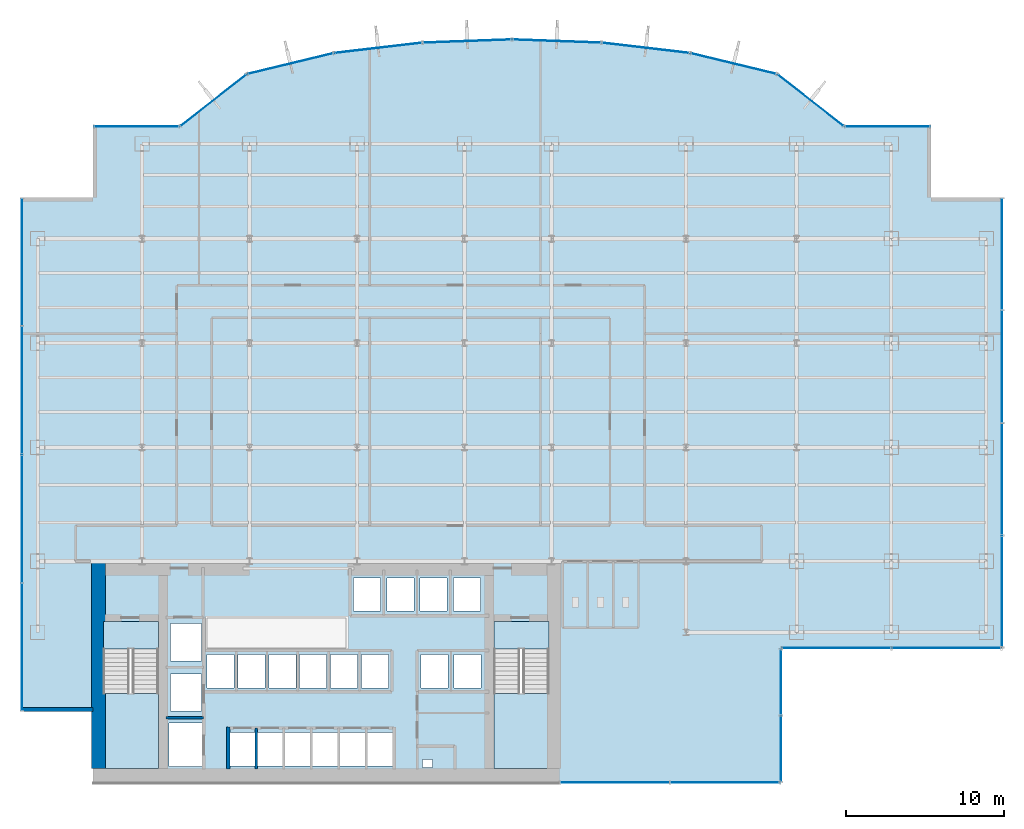
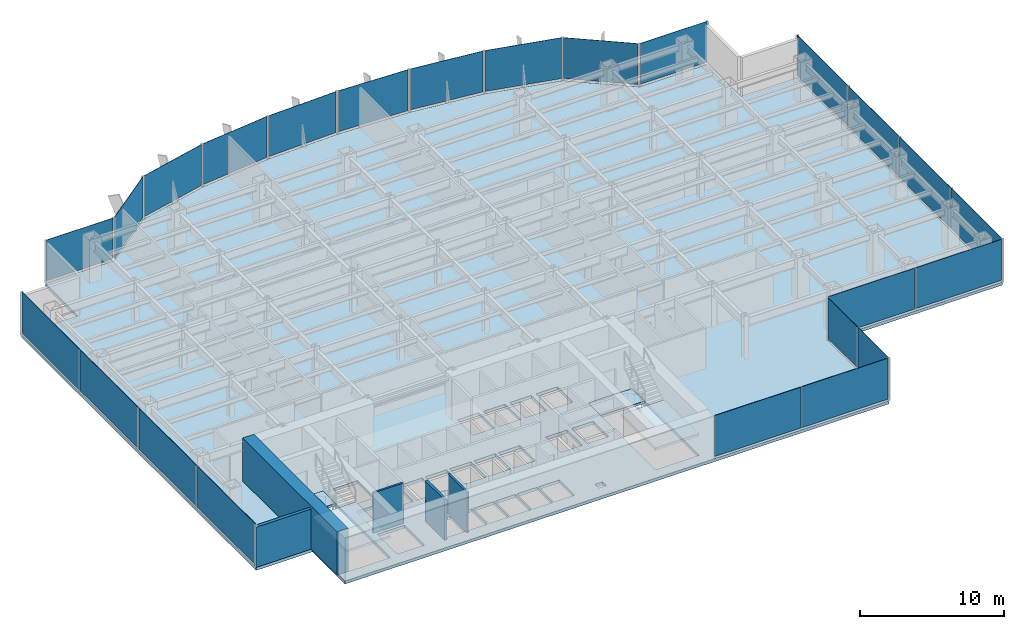
# One storey, part 16 of 22: 24 plates, 5 slabs, 5 walls, 17 elements without a shape of their own.
"""IFC4 building model written with IfcOpenShell, lengths in metres."""

from ifc_helpers import new_model, si_unit, derived_unit, direction, frame, frame_2d, origin, origin_2d, place, context, subcontext, project, spatial, polyline, rectangle, outline, extrude, source, transform, mapped, material, layer, layer_set, type_object, element, aggregate, save


model = new_model("IFC4")

# Units and contexts
model_context = context("Model", 3, precision=1e-05, world=origin(), true_north=direction((0.0, 1.0)))
body_context = subcontext(model_context, "Body", "Model", "MODEL_VIEW")
ifc_project = project(units=[si_unit("LENGTHUNIT", "METRE"), si_unit("AREAUNIT", "SQUARE_METRE"), si_unit("VOLUMEUNIT", "CUBIC_METRE"), si_unit("PLANEANGLEUNIT", "RADIAN"), si_unit("MASSUNIT", "GRAM", prefix="KILO"), derived_unit("THERMALTRANSMITTANCEUNIT", [(si_unit("POWERUNIT", "WATT"), 1), (si_unit("LENGTHUNIT", "METRE"), -2), (si_unit("THERMODYNAMICTEMPERATUREUNIT", "KELVIN"), -1)])], contexts=[model_context])

# Site, building, storey
site_placement = place(None, origin())
site = spatial("IfcSite", under=ifc_project, at=site_placement, CompositionType="ELEMENT")
building_placement = place(site_placement, origin())
building = spatial("IfcBuilding", under=site, at=building_placement, Name="Skarnbrae Concourse Arena and Tower", CompositionType="ELEMENT")
storey_placement = place(building_placement, frame((0.0, 0.0, 72.64990234375)))
storey = spatial("IfcBuildingStorey", under=building, at=storey_placement, Name="L17", CompositionType="ELEMENT", Elevation=72.64990234375)

# Stair, slab
ifc_material_1 = material(Name="Concrete 40 MPa (C40/50)", Category="concrete")
stair_type = type_object("IfcStairType", Name="STAIR-DOGLEG-1650", PredefinedType="HALF_TURN_STAIR", material=ifc_material_1)
stair_1_placement = place(storey_placement, origin())
stair_1 = element("IfcStair", 1, at=stair_1_placement, inside=storey, type_object=stair_type, Name="L17 Protected Exit Stair ST-1", PredefinedType="HALF_TURN_STAIR")
ifc_layer_1 = layer(ifc_material_1, 0.199951171875)
ifc_layer_set_1 = layer_set([ifc_layer_1], Name="Concrete 40 MPa (C40/50)")
slab_type_1 = type_object("IfcSlabType", Name="SLAB-LANDING-200", PredefinedType="LANDING", material=ifc_layer_set_1)
slab_1_placement = place(storey_placement, frame((0.0, 0.0, 1.625)))
slab_1 = element("IfcSlab", 2, at=slab_1_placement, type_object=slab_type_1, Name="ST-1 landing 1", PredefinedType="LANDING", context=body_context, shape_type="SweptSolid", body=[
    extrude(outline(polyline([(5.14990234375, 5.64990234375), (5.14990234375, 0.89990234375), (8.64990234375, 0.89990234375), (8.64990234375, 5.64990234375), (5.14990234375, 5.64990234375)])), origin(), (0.0, 0.0, 1.0), 0.2001953125),
])
aggregate(stair_1, [slab_1])

stair_2_placement = place(storey_placement, origin())
stair_2 = element("IfcStair", 3, at=stair_2_placement, inside=storey, type_object=stair_type, Name="L17 Protected Exit Stair ST-2", PredefinedType="HALF_TURN_STAIR")
slab_2_placement = place(storey_placement, frame((0.0, 0.0, 1.625)))
slab_2 = element("IfcSlab", 4, at=slab_2_placement, type_object=slab_type_1, Name="ST-2 landing 1", PredefinedType="LANDING", context=body_context, shape_type="SweptSolid", body=[
    extrude(outline(polyline([(29.85009765625, 5.64990234375), (29.85009765625, 0.89990234375), (33.35009765625, 0.89990234375), (33.35009765625, 5.64990234375), (29.85009765625, 5.64990234375)])), origin(), (0.0, 0.0, 1.0), 0.2001953125),
])
aggregate(stair_2, [slab_2])

# Slabs
slab_3_placement = place(storey_placement, frame((0.0, 0.0, -0.199951171875)))
element("IfcSlab", 5, at=slab_3_placement, inside=storey, type_object=slab_type_1, Name="L17 Core stair ST1 floor landing", PredefinedType="LANDING", context=body_context, shape_type="SweptSolid", body=[
    extrude(outline(polyline([(5.14990234375, 10.199951171875), (5.14990234375, 8.449951171875), (8.64990234375, 8.449951171875), (8.64990234375, 10.199951171875), (5.14990234375, 10.199951171875)])), origin(), (0.0, 0.0, 1.0), 0.199951171875),
])
slab_4_placement = place(storey_placement, frame((0.0, 0.0, -0.199951171875)))
element("IfcSlab", 6, at=slab_4_placement, inside=storey, type_object=slab_type_1, Name="L17 Core stair ST2 floor landing", PredefinedType="LANDING", context=body_context, shape_type="SweptSolid", body=[
    extrude(outline(polyline([(29.85009765625, 10.199951171875), (29.85009765625, 8.449951171875), (33.35009765625, 8.449951171875), (33.35009765625, 10.199951171875), (29.85009765625, 10.199951171875)])), origin(), (0.0, 0.0, 1.0), 0.199951171875),
])
ifc_layer_2 = layer(ifc_material_1, 0.25)
ifc_layer_set_2 = layer_set([ifc_layer_2], Name="Concrete 40 MPa (C40/50)")
slab_type_2 = type_object("IfcSlabType", Name="SLAB-TOWER-250", PredefinedType="FLOOR", material=ifc_layer_set_2)
slab_5_placement = place(storey_placement, frame((0.0, 0.0, -0.25)))
element("IfcSlab", 7, at=slab_5_placement, inside=storey, type_object=slab_type_2, Name="L17 Structural floor slab", PredefinedType="FLOOR", context=body_context, shape_type="SweptSolid", body=[
    extrude(outline(polyline([(4.5, 0.0), (48.0, 0.0), (48.0, 8.5), (62.0, 8.5), (62.0, 37.0), (57.5, 37.0), (57.5, 41.5), (52.0, 41.5), (47.766357421875, 44.811767578125), (42.2724609375, 46.140380859375), (36.65380859375, 46.796875), (31.0, 47.0), (25.34619140625, 46.796875), (19.7275390625, 46.140380859375), (14.233642578125, 44.811767578125), (10.0, 41.5), (4.5, 41.5), (4.5, 37.0), (0.0, 37.0), (0.0, 4.5), (4.5, 4.5), (4.5, 0.0)]), holes=[polyline([(13.14501953125, 3.155029296875), (14.7548828125, 3.155029296875), (14.7548828125, 1.044921875), (13.14501953125, 1.044921875), (13.14501953125, 3.155029296875)]), polyline([(16.4951171875, 3.155029296875), (16.4951171875, 1.044921875), (14.885009765625, 1.044921875), (14.885009765625, 3.155029296875), (16.4951171875, 3.155029296875)]), polyline([(18.235107421875, 3.155029296875), (18.235107421875, 1.044921875), (16.625, 1.044921875), (16.625, 3.155029296875), (18.235107421875, 3.155029296875)]), polyline([(18.364990234375, 3.155029296875), (19.97509765625, 3.155029296875), (19.97509765625, 1.044921875), (18.364990234375, 1.044921875), (18.364990234375, 3.155029296875)]), polyline([(11.455078125, 3.780029296875), (11.455078125, 1.02001953125), (9.294921875, 1.02001953125), (9.294921875, 3.780029296875), (11.455078125, 3.780029296875)]), polyline([(8.64990234375, 0.89990234375), (5.14990234375, 0.89990234375), (5.14990234375, 10.199951171875), (8.64990234375, 10.199951171875), (8.64990234375, 0.89990234375)]), polyline([(9.39501953125, 6.8798828125), (11.35498046875, 6.8798828125), (11.35498046875, 4.52001953125), (9.39501953125, 4.52001953125), (9.39501953125, 6.8798828125)]), polyline([(13.429931640625, 8.10498046875), (13.429931640625, 5.9951171875), (11.719970703125, 5.9951171875), (11.719970703125, 8.10498046875), (13.429931640625, 8.10498046875)]), polyline([(15.3798828125, 8.10498046875), (15.3798828125, 5.9951171875), (13.669921875, 5.9951171875), (13.669921875, 8.10498046875), (15.3798828125, 8.10498046875)]), polyline([(15.6201171875, 8.10498046875), (17.330078125, 8.10498046875), (17.330078125, 5.9951171875), (15.6201171875, 5.9951171875), (15.6201171875, 8.10498046875)]), polyline([(19.280029296875, 8.10498046875), (19.280029296875, 5.9951171875), (17.570068359375, 5.9951171875), (17.570068359375, 8.10498046875), (19.280029296875, 8.10498046875)]), polyline([(11.35498046875, 10.054931640625), (11.35498046875, 7.695068359375), (9.39501953125, 7.695068359375), (9.39501953125, 10.054931640625), (11.35498046875, 10.054931640625)]), polyline([(25.35009765625, 1.449951171875), (25.9599609375, 1.449951171875), (25.9599609375, 0.949951171875), (25.35009765625, 0.949951171875), (25.35009765625, 1.449951171875)]), polyline([(21.715087890625, 3.155029296875), (21.715087890625, 1.044921875), (20.10498046875, 1.044921875), (20.10498046875, 3.155029296875), (21.715087890625, 3.155029296875)]), polyline([(23.455078125, 3.155029296875), (23.455078125, 1.044921875), (21.844970703125, 1.044921875), (21.844970703125, 3.155029296875), (23.455078125, 3.155029296875)]), polyline([(33.35009765625, 10.199951171875), (33.35009765625, 0.89990234375), (29.85009765625, 0.89990234375), (29.85009765625, 10.199951171875), (33.35009765625, 10.199951171875)]), polyline([(21.22998046875, 8.10498046875), (21.22998046875, 5.9951171875), (19.52001953125, 5.9951171875), (19.52001953125, 8.10498046875), (21.22998046875, 8.10498046875)]), polyline([(23.179931640625, 8.10498046875), (23.179931640625, 5.9951171875), (21.469970703125, 5.9951171875), (21.469970703125, 8.10498046875), (23.179931640625, 8.10498046875)]), polyline([(25.235107421875, 8.10498046875), (26.945068359375, 8.10498046875), (26.945068359375, 5.9951171875), (25.235107421875, 5.9951171875), (25.235107421875, 8.10498046875)]), polyline([(29.044921875, 8.10498046875), (29.044921875, 5.9951171875), (27.3349609375, 5.9951171875), (27.3349609375, 8.10498046875), (29.044921875, 8.10498046875)]), polyline([(22.695068359375, 12.955078125), (22.695068359375, 10.844970703125), (20.985107421875, 10.844970703125), (20.985107421875, 12.955078125), (22.695068359375, 12.955078125)]), polyline([(23.0849609375, 12.955078125), (24.794921875, 12.955078125), (24.794921875, 10.844970703125), (23.0849609375, 10.844970703125), (23.0849609375, 12.955078125)]), polyline([(26.89501953125, 12.955078125), (26.89501953125, 10.844970703125), (25.18505859375, 10.844970703125), (25.18505859375, 12.955078125), (26.89501953125, 12.955078125)]), polyline([(28.9951171875, 12.955078125), (28.9951171875, 10.844970703125), (27.284912109375, 10.844970703125), (27.284912109375, 12.955078125), (28.9951171875, 12.955078125)])]), origin(), (0.0, 0.0, 1.0), 0.25),
])

# Curtain wall, plates
ifc_material_2 = material(Name="Bronze anodised aluminium 6063-T6", Category="aluminium")
curtain_wall_type = type_object("IfcCurtainWallType", Name="CW-SYS-02-LOWZONE", PredefinedType="USERDEFINED", material=ifc_material_2)
curtain_wall_1_placement = place(storey_placement, origin())
curtain_wall_1 = element("IfcCurtainWall", 8, at=curtain_wall_1_placement, inside=storey, type_object=curtain_wall_type, Name="L17 Unitised curtain wall CW-L17-SE-SPINE", ObjectType="UNITISED CURTAIN WALL", PredefinedType="USERDEFINED")
ifc_material_3 = material(Name="Low-E triple insulating glass", Category="glass")
ifc_layer_3 = layer(ifc_material_3, 0.031982421875)
ifc_layer_set_3 = layer_set([ifc_layer_3], Name="Low-E triple insulating glass")
plate_type = type_object("IfcPlateType", Name="CWP-CW-02", PredefinedType="CURTAIN_PANEL", material=ifc_layer_set_3)
shared_shape_1 = source(origin(), body_context, "Body", "SweptSolid", [
    extrude(rectangle(XDim=6.8798828125, YDim=0.031982421875, at=origin_2d()), origin(), (0.0, 0.0, 1.0), 3.4599609375),
])
plate_1_placement = place(storey_placement, frame((37.52001953125, 0.0, 0.190185546875), z_axis=(0.0, 0.0, 1.0), x_axis=(1.0, 0.0, 0.0)))
plate_1 = element("IfcPlate", 9, at=plate_1_placement, type_object=plate_type, Name="CW-L17-SE-SPINE Low-E Glazing Panel 1", PredefinedType="CURTAIN_PANEL", context=body_context, shape_type="MappedRepresentation", body=[
    mapped(shared_shape_1, transform((0.0, 0.0, 0.0))),
])
plate_2_placement = place(storey_placement, frame((44.47998046875, 0.0, 0.190185546875), z_axis=(0.0, 0.0, 1.0), x_axis=(1.0, 0.0, 0.0)))
plate_2 = element("IfcPlate", 10, at=plate_2_placement, type_object=plate_type, Name="CW-L17-SE-SPINE Low-E Glazing Panel 2", PredefinedType="CURTAIN_PANEL", context=body_context, shape_type="MappedRepresentation", body=[
    mapped(shared_shape_1, transform((0.0, 0.0, 0.0))),
])
aggregate(curtain_wall_1, [plate_1, plate_2])

curtain_wall_2_placement = place(storey_placement, origin())
curtain_wall_2 = element("IfcCurtainWall", 11, at=curtain_wall_2_placement, inside=storey, type_object=curtain_wall_type, Name="L17 Unitised curtain wall CW-L17-E03", ObjectType="UNITISED CURTAIN WALL", PredefinedType="USERDEFINED")
plate_3_placement = place(storey_placement, frame((51.52001953125, 8.5, 0.190185546875), z_axis=(0.0, 0.0, 1.0), x_axis=(1.0, 0.0, 0.0)))
plate_3 = element("IfcPlate", 12, at=plate_3_placement, type_object=plate_type, Name="CW-L17-E03 Low-E Glazing Panel 1", PredefinedType="CURTAIN_PANEL", context=body_context, shape_type="MappedRepresentation", body=[
    mapped(shared_shape_1, transform((0.0, 0.0, 0.0))),
])
plate_4_placement = place(storey_placement, frame((58.47998046875, 8.5, 0.190185546875), z_axis=(0.0, 0.0, 1.0), x_axis=(1.0, 0.0, 0.0)))
plate_4 = element("IfcPlate", 13, at=plate_4_placement, type_object=plate_type, Name="CW-L17-E03 Low-E Glazing Panel 2", PredefinedType="CURTAIN_PANEL", context=body_context, shape_type="MappedRepresentation", body=[
    mapped(shared_shape_1, transform((0.0, 0.0, 0.0))),
])
aggregate(curtain_wall_2, [plate_3, plate_4])

curtain_wall_3_placement = place(storey_placement, origin())
curtain_wall_3 = element("IfcCurtainWall", 14, at=curtain_wall_3_placement, inside=storey, type_object=curtain_wall_type, Name="L17 Unitised curtain wall CW-L17-E02", ObjectType="UNITISED CURTAIN WALL", PredefinedType="USERDEFINED")
shared_shape_2 = source(origin(), body_context, "Body", "SweptSolid", [
    extrude(rectangle(XDim=4.1298828125, YDim=0.031982421875, at=origin_2d()), origin(), (0.0, 0.0, 1.0), 3.4599609375),
])
plate_5_placement = place(storey_placement, frame((48.0, 2.14501953125, 0.190185546875), z_axis=(0.0, 0.0, 1.0), x_axis=(0.0, 1.0, 0.0)))
plate_5 = element("IfcPlate", 15, at=plate_5_placement, type_object=plate_type, Name="CW-L17-E02 Low-E Glazing Panel 1", PredefinedType="CURTAIN_PANEL", context=body_context, shape_type="MappedRepresentation", body=[
    mapped(shared_shape_2, transform((0.0, 0.0, 0.0))),
])
plate_6_placement = place(storey_placement, frame((48.0, 6.35498046875, 0.190185546875), z_axis=(0.0, 0.0, 1.0), x_axis=(0.0, 1.0, 0.0)))
plate_6 = element("IfcPlate", 16, at=plate_6_placement, type_object=plate_type, Name="CW-L17-E02 Low-E Glazing Panel 2", PredefinedType="CURTAIN_PANEL", context=body_context, shape_type="MappedRepresentation", body=[
    mapped(shared_shape_2, transform((0.0, 0.0, 0.0))),
])
aggregate(curtain_wall_3, [plate_5, plate_6])

curtain_wall_4_placement = place(storey_placement, origin())
curtain_wall_4 = element("IfcCurtainWall", 17, at=curtain_wall_4_placement, inside=storey, type_object=curtain_wall_type, Name="L17 Unitised curtain wall CW-L17-E04", ObjectType="UNITISED CURTAIN WALL", PredefinedType="USERDEFINED")
shared_shape_3 = source(origin(), body_context, "Body", "SweptSolid", [
    extrude(rectangle(XDim=7.0048828125, YDim=0.031982421875, at=origin_2d()), origin(), (0.0, 0.0, 1.0), 3.4599609375),
])
plate_7_placement = place(storey_placement, frame((62.0, 12.08251953125, 0.190185546875), z_axis=(0.0, 0.0, 1.0), x_axis=(0.0, 1.0, 0.0)))
plate_7 = element("IfcPlate", 18, at=plate_7_placement, type_object=plate_type, Name="CW-L17-E04 Low-E Glazing Panel 1", PredefinedType="CURTAIN_PANEL", context=body_context, shape_type="MappedRepresentation", body=[
    mapped(shared_shape_3, transform((0.0, 0.0, 0.0))),
])
plate_8_placement = place(storey_placement, frame((62.0, 33.41748046875, 0.190185546875), z_axis=(0.0, 0.0, 1.0), x_axis=(0.0, 1.0, 0.0)))
plate_8 = element("IfcPlate", 19, at=plate_8_placement, type_object=plate_type, Name="CW-L17-E04 Low-E Glazing Panel 4", PredefinedType="CURTAIN_PANEL", context=body_context, shape_type="MappedRepresentation", body=[
    mapped(shared_shape_3, transform((0.0, 0.0, 0.0))),
])
shared_shape_4 = source(origin(), body_context, "Body", "SweptSolid", [
    extrude(rectangle(XDim=7.044921875, YDim=0.031982421875, at=origin_2d()), origin(), (0.0, 0.0, 1.0), 3.4599609375),
])
plate_9_placement = place(storey_placement, frame((62.0, 19.1875, 0.190185546875), z_axis=(0.0, 0.0, 1.0), x_axis=(0.0, 1.0, 0.0)))
plate_9 = element("IfcPlate", 20, at=plate_9_placement, type_object=plate_type, Name="CW-L17-E04 Low-E Glazing Panel 2", PredefinedType="CURTAIN_PANEL", context=body_context, shape_type="MappedRepresentation", body=[
    mapped(shared_shape_4, transform((0.0, 0.0, 0.0))),
])
plate_10_placement = place(storey_placement, frame((62.0, 26.3125, 0.190185546875), z_axis=(0.0, 0.0, 1.0), x_axis=(0.0, 1.0, 0.0)))
plate_10 = element("IfcPlate", 21, at=plate_10_placement, type_object=plate_type, Name="CW-L17-E04 Low-E Glazing Panel 3", PredefinedType="CURTAIN_PANEL", context=body_context, shape_type="MappedRepresentation", body=[
    mapped(shared_shape_4, transform((0.0, 0.0, 0.0))),
])
aggregate(curtain_wall_4, [plate_7, plate_9, plate_10, plate_8])

# Curtain wall, plate
curtain_wall_5_placement = place(storey_placement, origin())
curtain_wall_5 = element("IfcCurtainWall", 22, at=curtain_wall_5_placement, inside=storey, type_object=curtain_wall_type, Name="L17 Unitised curtain wall CW-L17-E07", ObjectType="UNITISED CURTAIN WALL", PredefinedType="USERDEFINED")
shared_shape_5 = source(origin(), body_context, "Body", "SweptSolid", [
    extrude(rectangle(XDim=5.340087890625, YDim=0.031982421875, at=origin_2d()), origin(), (0.0, 0.0, 1.0), 3.4599609375),
])
plate_11_placement = place(storey_placement, frame((54.75, 41.5, 0.190185546875), z_axis=(0.0, 0.0, 1.0), x_axis=(-1.0, 0.0, 0.0)))
plate_11 = element("IfcPlate", 23, at=plate_11_placement, type_object=plate_type, Name="CW-L17-E07 Low-E Glazing Panel 1", PredefinedType="CURTAIN_PANEL", context=body_context, shape_type="MappedRepresentation", body=[
    mapped(shared_shape_5, transform((0.0, 0.0, 0.0))),
])
aggregate(curtain_wall_5, [plate_11])

curtain_wall_6_placement = place(storey_placement, origin())
curtain_wall_6 = element("IfcCurtainWall", 24, at=curtain_wall_6_placement, inside=storey, type_object=curtain_wall_type, Name="L17 Unitised curtain wall CW-L17-E16", ObjectType="UNITISED CURTAIN WALL", PredefinedType="USERDEFINED")
plate_12_placement = place(storey_placement, frame((7.25, 41.5, 0.190185546875), z_axis=(0.0, 0.0, 1.0), x_axis=(-1.0, 0.0, 0.0)))
plate_12 = element("IfcPlate", 25, at=plate_12_placement, type_object=plate_type, Name="CW-L17-E16 Low-E Glazing Panel 1", PredefinedType="CURTAIN_PANEL", context=body_context, shape_type="MappedRepresentation", body=[
    mapped(shared_shape_5, transform((0.0, 0.0, 0.0))),
])
aggregate(curtain_wall_6, [plate_12])

curtain_wall_7_placement = place(storey_placement, origin())
curtain_wall_7 = element("IfcCurtainWall", 26, at=curtain_wall_7_placement, inside=storey, type_object=curtain_wall_type, Name="L17 Unitised curtain wall CW-L17-E08", ObjectType="UNITISED CURTAIN WALL", PredefinedType="USERDEFINED")
shared_shape_6 = source(origin(), body_context, "Body", "SweptSolid", [
    extrude(rectangle(XDim=5.215087890625, YDim=0.031982421875, at=origin_2d()), origin(), (0.0, 0.0, 1.0), 3.4599609375),
])
plate_13_placement = place(storey_placement, frame((49.88330078125, 43.156005859375, 0.190185546875), z_axis=(0.0, 0.0, 1.0), x_axis=(-0.787651726054, 0.616120733658, 0.0)))
plate_13 = element("IfcPlate", 27, at=plate_13_placement, type_object=plate_type, Name="CW-L17-E08 Low-E Glazing Panel 1", PredefinedType="CURTAIN_PANEL", context=body_context, shape_type="MappedRepresentation", body=[
    mapped(shared_shape_6, transform((0.0, 0.0, 0.0))),
])
aggregate(curtain_wall_7, [plate_13])

curtain_wall_8_placement = place(storey_placement, origin())
curtain_wall_8 = element("IfcCurtainWall", 28, at=curtain_wall_8_placement, inside=storey, type_object=curtain_wall_type, Name="L17 Unitised curtain wall CW-L17-E15", ObjectType="UNITISED CURTAIN WALL", PredefinedType="USERDEFINED")
plate_14_placement = place(storey_placement, frame((12.11669921875, 43.156005859375, 0.190185546875), z_axis=(0.0, 0.0, 1.0), x_axis=(-0.787651726054, -0.616120733658, 0.0)))
plate_14 = element("IfcPlate", 29, at=plate_14_placement, type_object=plate_type, Name="CW-L17-E15 Low-E Glazing Panel 1", PredefinedType="CURTAIN_PANEL", context=body_context, shape_type="MappedRepresentation", body=[
    mapped(shared_shape_6, transform((0.0, 0.0, 0.0))),
])
aggregate(curtain_wall_8, [plate_14])

curtain_wall_9_placement = place(storey_placement, origin())
curtain_wall_9 = element("IfcCurtainWall", 30, at=curtain_wall_9_placement, inside=storey, type_object=curtain_wall_type, Name="L17 Unitised curtain wall CW-L17-E09", ObjectType="UNITISED CURTAIN WALL", PredefinedType="USERDEFINED")
shared_shape_7 = source(origin(), body_context, "Body", "SweptSolid", [
    extrude(rectangle(XDim=5.4921875, YDim=0.031982421875, at=origin_2d()), origin(), (0.0, 0.0, 1.0), 3.4599609375),
])
plate_15_placement = place(storey_placement, frame((45.019287109375, 45.47607421875, 0.190185546875), z_axis=(0.0, 0.0, 1.0), x_axis=(-0.971973721569, 0.235089524607, 0.0)))
plate_15 = element("IfcPlate", 31, at=plate_15_placement, type_object=plate_type, Name="CW-L17-E09 Low-E Glazing Panel 1", PredefinedType="CURTAIN_PANEL", context=body_context, shape_type="MappedRepresentation", body=[
    mapped(shared_shape_7, transform((0.0, 0.0, 0.0))),
])
aggregate(curtain_wall_9, [plate_15])

curtain_wall_10_placement = place(storey_placement, origin())
curtain_wall_10 = element("IfcCurtainWall", 32, at=curtain_wall_10_placement, inside=storey, type_object=curtain_wall_type, Name="L17 Unitised curtain wall CW-L17-E14", ObjectType="UNITISED CURTAIN WALL", PredefinedType="USERDEFINED")
plate_16_placement = place(storey_placement, frame((16.980712890625, 45.47607421875, 0.190185546875), z_axis=(0.0, 0.0, 1.0), x_axis=(-0.971973721569, -0.235089524607, 0.0)))
plate_16 = element("IfcPlate", 33, at=plate_16_placement, type_object=plate_type, Name="CW-L17-E14 Low-E Glazing Panel 1", PredefinedType="CURTAIN_PANEL", context=body_context, shape_type="MappedRepresentation", body=[
    mapped(shared_shape_7, transform((0.0, 0.0, 0.0))),
])
aggregate(curtain_wall_10, [plate_16])

curtain_wall_11_placement = place(storey_placement, origin())
curtain_wall_11 = element("IfcCurtainWall", 34, at=curtain_wall_11_placement, inside=storey, type_object=curtain_wall_type, Name="L17 Unitised curtain wall CW-L17-E10", ObjectType="UNITISED CURTAIN WALL", PredefinedType="USERDEFINED")
shared_shape_8 = source(origin(), body_context, "Body", "SweptSolid", [
    extrude(rectangle(XDim=5.49658203125, YDim=0.031982421875, at=origin_2d()), origin(), (0.0, 0.0, 1.0), 3.4599609375),
])
plate_17_placement = place(storey_placement, frame((39.463134765625, 46.46875, 0.190185546875), z_axis=(0.0, 0.0, 1.0), x_axis=(-0.99324457001, 0.116039752435, 0.0)))
plate_17 = element("IfcPlate", 35, at=plate_17_placement, type_object=plate_type, Name="CW-L17-E10 Low-E Glazing Panel 1", PredefinedType="CURTAIN_PANEL", context=body_context, shape_type="MappedRepresentation", body=[
    mapped(shared_shape_8, transform((0.0, 0.0, 0.0))),
])
aggregate(curtain_wall_11, [plate_17])

curtain_wall_12_placement = place(storey_placement, origin())
curtain_wall_12 = element("IfcCurtainWall", 36, at=curtain_wall_12_placement, inside=storey, type_object=curtain_wall_type, Name="L17 Unitised curtain wall CW-L17-E13", ObjectType="UNITISED CURTAIN WALL", PredefinedType="USERDEFINED")
plate_18_placement = place(storey_placement, frame((22.536865234375, 46.46875, 0.190185546875), z_axis=(0.0, 0.0, 1.0), x_axis=(-0.99324457001, -0.116039752435, 0.0)))
plate_18 = element("IfcPlate", 37, at=plate_18_placement, type_object=plate_type, Name="CW-L17-E13 Low-E Glazing Panel 1", PredefinedType="CURTAIN_PANEL", context=body_context, shape_type="MappedRepresentation", body=[
    mapped(shared_shape_8, transform((0.0, 0.0, 0.0))),
])
aggregate(curtain_wall_12, [plate_18])

curtain_wall_13_placement = place(storey_placement, origin())
curtain_wall_13 = element("IfcCurtainWall", 38, at=curtain_wall_13_placement, inside=storey, type_object=curtain_wall_type, Name="L17 Unitised curtain wall CW-L17-E11", ObjectType="UNITISED CURTAIN WALL", PredefinedType="USERDEFINED")
shared_shape_9 = source(origin(), body_context, "Body", "SweptSolid", [
    extrude(rectangle(XDim=5.49755859375, YDim=0.031982421875, at=origin_2d()), origin(), (0.0, 0.0, 1.0), 3.4599609375),
])
plate_19_placement = place(storey_placement, frame((33.826904296875, 46.8984375, 0.190185546875), z_axis=(0.0, 0.0, 1.0), x_axis=(-0.999355425188, 0.035898943527, 0.0)))
plate_19 = element("IfcPlate", 39, at=plate_19_placement, type_object=plate_type, Name="CW-L17-E11 Low-E Glazing Panel 1", PredefinedType="CURTAIN_PANEL", context=body_context, shape_type="MappedRepresentation", body=[
    mapped(shared_shape_9, transform((0.0, 0.0, 0.0))),
])
aggregate(curtain_wall_13, [plate_19])

curtain_wall_14_placement = place(storey_placement, origin())
curtain_wall_14 = element("IfcCurtainWall", 40, at=curtain_wall_14_placement, inside=storey, type_object=curtain_wall_type, Name="L17 Unitised curtain wall CW-L17-E12", ObjectType="UNITISED CURTAIN WALL", PredefinedType="USERDEFINED")
plate_20_placement = place(storey_placement, frame((28.173095703125, 46.8984375, 0.190185546875), z_axis=(0.0, 0.0, 1.0), x_axis=(-0.999355425188, -0.035898943527, 0.0)))
plate_20 = element("IfcPlate", 41, at=plate_20_placement, type_object=plate_type, Name="CW-L17-E12 Low-E Glazing Panel 1", PredefinedType="CURTAIN_PANEL", context=body_context, shape_type="MappedRepresentation", body=[
    mapped(shared_shape_9, transform((0.0, 0.0, 0.0))),
])
aggregate(curtain_wall_14, [plate_20])

# Curtain wall, plates
curtain_wall_15_placement = place(storey_placement, origin())
curtain_wall_15 = element("IfcCurtainWall", 42, at=curtain_wall_15_placement, inside=storey, type_object=curtain_wall_type, Name="L17 Unitised curtain wall CW-L17-E19", ObjectType="UNITISED CURTAIN WALL", PredefinedType="USERDEFINED")
shared_shape_10 = source(origin(), body_context, "Body", "SweptSolid", [
    extrude(rectangle(XDim=8.0048828125, YDim=0.031982421875, at=origin_2d()), origin(), (0.0, 0.0, 1.0), 3.4599609375),
])
plate_21_placement = place(storey_placement, frame((0.0, 32.91748046875, 0.190185546875), z_axis=(0.0, 0.0, 1.0), x_axis=(0.0, -1.0, 0.0)))
plate_21 = element("IfcPlate", 43, at=plate_21_placement, type_object=plate_type, Name="CW-L17-E19 Low-E Glazing Panel 1", PredefinedType="CURTAIN_PANEL", context=body_context, shape_type="MappedRepresentation", body=[
    mapped(shared_shape_10, transform((0.0, 0.0, 0.0))),
])
plate_22_placement = place(storey_placement, frame((0.0, 8.58251953125, 0.190185546875), z_axis=(0.0, 0.0, 1.0), x_axis=(0.0, -1.0, 0.0)))
plate_22 = element("IfcPlate", 44, at=plate_22_placement, type_object=plate_type, Name="CW-L17-E19 Low-E Glazing Panel 4", PredefinedType="CURTAIN_PANEL", context=body_context, shape_type="MappedRepresentation", body=[
    mapped(shared_shape_10, transform((0.0, 0.0, 0.0))),
])
shared_shape_11 = source(origin(), body_context, "Body", "SweptSolid", [
    extrude(rectangle(XDim=8.044921875, YDim=0.031982421875, at=origin_2d()), origin(), (0.0, 0.0, 1.0), 3.4599609375),
])
plate_23_placement = place(storey_placement, frame((0.0, 24.8125, 0.190185546875), z_axis=(0.0, 0.0, 1.0), x_axis=(0.0, -1.0, 0.0)))
plate_23 = element("IfcPlate", 45, at=plate_23_placement, type_object=plate_type, Name="CW-L17-E19 Low-E Glazing Panel 2", PredefinedType="CURTAIN_PANEL", context=body_context, shape_type="MappedRepresentation", body=[
    mapped(shared_shape_11, transform((0.0, 0.0, 0.0))),
])
plate_24_placement = place(storey_placement, frame((0.0, 16.6875, 0.190185546875), z_axis=(0.0, 0.0, 1.0), x_axis=(0.0, -1.0, 0.0)))
plate_24 = element("IfcPlate", 46, at=plate_24_placement, type_object=plate_type, Name="CW-L17-E19 Low-E Glazing Panel 3", PredefinedType="CURTAIN_PANEL", context=body_context, shape_type="MappedRepresentation", body=[
    mapped(shared_shape_11, transform((0.0, 0.0, 0.0))),
])
aggregate(curtain_wall_15, [plate_21, plate_23, plate_24, plate_22])

# Walls
ifc_material_4 = material(Name="Concrete 70 MPa (C70/85)", Category="concrete")
ifc_layer_4 = layer(ifc_material_4, 0.89990234375)
ifc_layer_set_4 = layer_set([ifc_layer_4], Name="Concrete 70 MPa (C70/85)")
wall_type_1 = type_object("IfcWallType", Name="WALL-CORE-900-C70", PredefinedType="SHEAR", material=ifc_layer_set_4)
shared_shape_12 = source(origin(), body_context, "Body", "SweptSolid", [
    extrude(rectangle(XDim=13.10009765625, YDim=0.89990234375, at=frame_2d((6.550048828125, 0.0))), origin(), (0.0, 0.0, 1.0), 3.650146484375),
])
wall_1_placement = place(storey_placement, frame((4.85009765625, 0.89990234375, 0.0), z_axis=(0.0, 0.0, 1.0), x_axis=(0.0, 1.0, 0.0)))
element("IfcWall", 47, at=wall_1_placement, inside=storey, type_object=wall_type_1, Name="L17 Rear core shear wall CW-W", PredefinedType="SHEAR", context=body_context, shape_type="MappedRepresentation", body=[
    mapped(shared_shape_12, transform((0.0, 0.0, 0.0))),
])
ifc_material_5 = material(Name="Precast concrete 40 MPa (C40/50)", Category="concrete")
ifc_layer_5 = layer(ifc_material_5, 0.25)
ifc_layer_set_5 = layer_set([ifc_layer_5], Name="Precast concrete 40 MPa (C40/50)")
wall_type_2 = type_object("IfcWallType", Name="WALL-EXT-SPANDREL-250", PredefinedType="STANDARD", material=ifc_layer_set_5)
shared_shape_13 = source(origin(), body_context, "Body", "SweptSolid", [
    extrude(rectangle(XDim=4.5, YDim=0.25, at=frame_2d((2.25, 0.0))), origin(), (0.0, 0.0, 1.0), 3.400146484375),
])
wall_2_placement = place(storey_placement, frame((0.0, 4.625, 0.0), z_axis=(0.0, 0.0, 1.0), x_axis=(1.0, 0.0, 0.0)))
element("IfcWall", 48, at=wall_2_placement, inside=storey, type_object=wall_type_2, Name="L17 Notched corner insulated return wall 20", PredefinedType="STANDARD", context=body_context, shape_type="MappedRepresentation", body=[
    mapped(shared_shape_13, transform((0.0, 0.0, 0.0))),
])
ifc_material_6 = material(Name="Gypsum board on cold-formed steel studs", Category="steel")
ifc_layer_6 = layer(ifc_material_6, 0.14990234375)
ifc_layer_set_6 = layer_set([ifc_layer_6], Name="Gypsum board on cold-formed steel studs")
wall_type_3 = type_object("IfcWallType", Name="WALL-PART-150", PredefinedType="PARTITIONING", material=ifc_layer_set_6)
shared_shape_14 = source(origin(), body_context, "Body", "SweptSolid", [
    extrude(rectangle(XDim=2.39990234375, YDim=0.14990234375, at=frame_2d((1.199951171875, 0.0))), origin(), (0.0, 0.0, 1.0), 3.400146484375),
])
wall_3_placement = place(storey_placement, frame((9.10009765625, 4.10009765625, 0.0), z_axis=(0.0, 0.0, 1.0), x_axis=(1.0, 0.0, 0.0)))
element("IfcWall", 49, at=wall_3_placement, inside=storey, type_object=wall_type_3, Name="L17 Interior partition wall W-L17-FL-D1", PredefinedType="PARTITIONING", context=body_context, shape_type="MappedRepresentation", body=[
    mapped(shared_shape_14, transform((0.0, 0.0, 0.0))),
])
ifc_layer_7 = layer(ifc_material_6, 0.199951171875)
ifc_layer_set_7 = layer_set([ifc_layer_7], Name="Gypsum board on cold-formed steel studs")
wall_type_4 = type_object("IfcWallType", Name="WALL-PART-200-2HR", PredefinedType="PARTITIONING", material=ifc_layer_set_7)
shared_shape_15 = source(origin(), body_context, "Body", "SweptSolid", [
    extrude(rectangle(XDim=2.64990234375, YDim=0.199951171875, at=frame_2d((1.324951171875, 0.0))), origin(), (0.0, 0.0, 1.0), 3.400146484375),
])
wall_4_placement = place(storey_placement, frame((13.050048828125, 0.85009765625, 0.0), z_axis=(0.0, 0.0, 1.0), x_axis=(0.0, 1.0, 0.0)))
element("IfcWall", 50, at=wall_4_placement, inside=storey, type_object=wall_type_4, Name="L17 Interior partition wall W-L17-B1-W", PredefinedType="PARTITIONING", context=body_context, shape_type="MappedRepresentation", body=[
    mapped(shared_shape_15, transform((0.0, 0.0, 0.0))),
])
shared_shape_16 = source(origin(), body_context, "Body", "SweptSolid", [
    extrude(rectangle(XDim=2.599853515625, YDim=0.14990234375, at=frame_2d((1.2998046875, 0.0))), origin(), (0.0, 0.0, 1.0), 3.400146484375),
])
wall_5_placement = place(storey_placement, frame((14.820068359375, 0.85009765625, 0.0), z_axis=(0.0, 0.0, 1.0), x_axis=(0.0, 1.0, 0.0)))
element("IfcWall", 51, at=wall_5_placement, inside=storey, type_object=wall_type_3, Name="L17 Interior partition wall W-L17-B1-P1", PredefinedType="PARTITIONING", context=body_context, shape_type="MappedRepresentation", body=[
    mapped(shared_shape_16, transform((0.0, 0.0, 0.0))),
])

save(model, "model.ifc")
